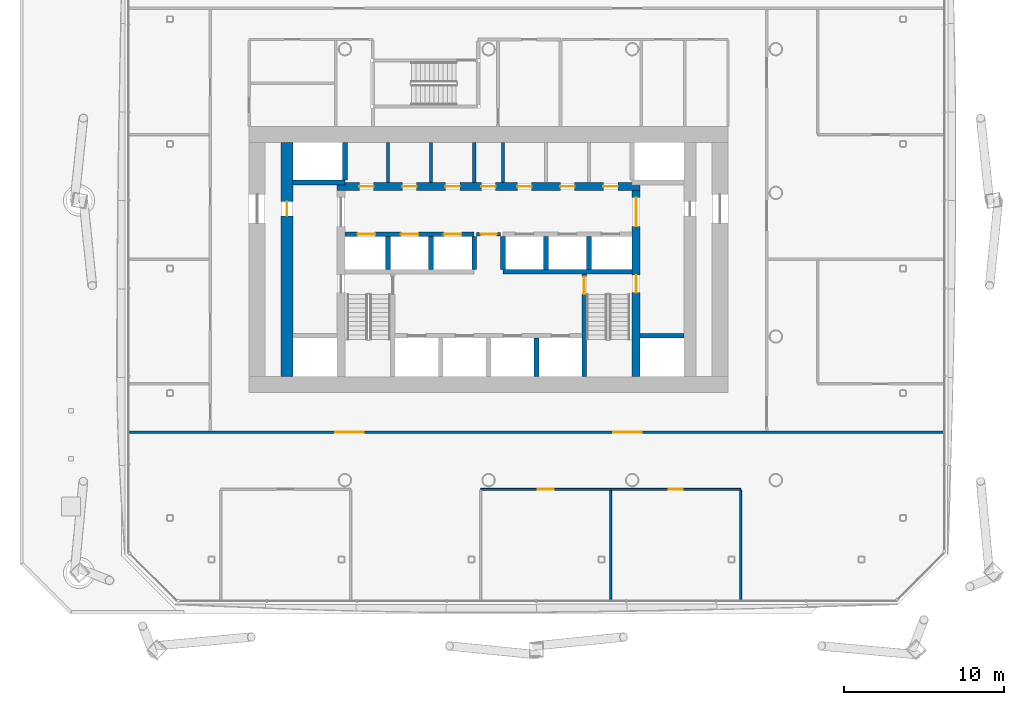
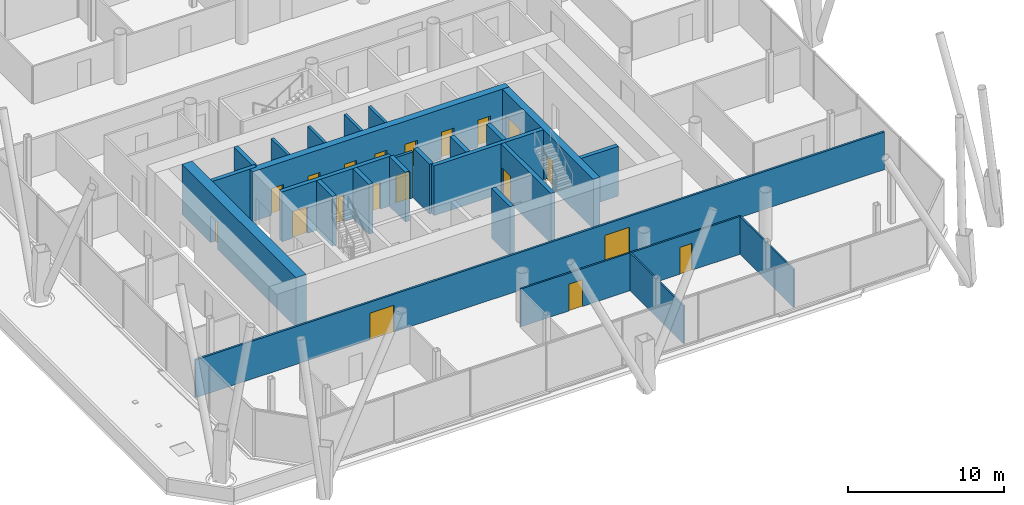
# One storey, part 14 of 23: 25 walls, 19 doors, 19 openings.
"""IFC4 building model written with IfcOpenShell, lengths in metres."""

from ifc_helpers import new_model, si_unit, direction, frame, frame_2d, origin, place, context, subcontext, project, spatial, rectangle, extrude, material, layer, layer_set, type_object, element, fill, save


model = new_model("IFC4")

# Units and contexts
model_context = context("Model", 3, precision=1e-05, world=origin(), true_north=direction((0.0, 1.0)))
body_context = subcontext(model_context, "Body", "Model", "MODEL_VIEW")
ifc_project = project(units=[si_unit("LENGTHUNIT", "METRE"), si_unit("AREAUNIT", "SQUARE_METRE"), si_unit("VOLUMEUNIT", "CUBIC_METRE"), si_unit("PLANEANGLEUNIT", "RADIAN"), si_unit("MASSUNIT", "GRAM", prefix="KILO")], contexts=[model_context])

# Site, building, storey
site_placement = place(None, origin())
site = spatial("IfcSite", under=ifc_project, at=site_placement, CompositionType="ELEMENT")
building_placement = place(site_placement, origin())
building = spatial("IfcBuilding", under=site, at=building_placement, Name="Tskaro Facet Tower", CompositionType="ELEMENT")
storey_placement = place(building_placement, frame((0.0, 0.0, 62.10009765625)))
storey = spatial("IfcBuildingStorey", under=building, at=storey_placement, Name="L14", CompositionType="ELEMENT", Elevation=62.10009765625)

# Walls
ifc_material_1 = material(Name="Concrete C60/75", Category="concrete")
ifc_layer_1 = layer(ifc_material_1, 0.300048828125, Name="Concrete C60/75")
ifc_layer_set_1 = layer_set([ifc_layer_1], Name="Concrete C60/75")
wall_type_1 = type_object("IfcWallType", Name="CORE-SHAFT", PredefinedType="SHEAR", material=ifc_layer_set_1)
wall_1_placement = place(storey_placement, frame((9.5, -8.949951171875, 0.0), z_axis=(0.0, 0.0, 1.0), x_axis=(1.0, 0.0, 0.0)))
element("IfcWall", 1, at=wall_1_placement, inside=storey, type_object=wall_type_1, Name="Shaft wall W008", PredefinedType="SHEAR", context=body_context, shape_type="SweptSolid", body=[
    extrude(rectangle(XDim=2.75, YDim=0.300048828125, at=frame_2d((1.375, 0.0))), origin(), (0.0, 0.0, 1.0), 3.89990234375),
])
wall_2_placement = place(storey_placement, frame((0.89990234375, -4.949951171875, 0.0), z_axis=(0.0, 0.0, 1.0), x_axis=(1.0, 0.0, 0.0)))
element("IfcWall", 2, at=wall_2_placement, inside=storey, type_object=wall_type_1, Name="Shaft wall W010", PredefinedType="SHEAR", context=body_context, shape_type="SweptSolid", body=[
    extrude(rectangle(XDim=8.10009765625, YDim=0.300048828125, at=frame_2d((4.050048828125, 0.0))), origin(), (0.0, 0.0, 1.0), 3.89990234375),
])

# Wall, openings, doors
wall_3_placement = place(storey_placement, frame((-9.0, -2.60009765625, 0.0), z_axis=(0.0, 0.0, 1.0), x_axis=(1.0, 0.0, 0.0)))
wall_3 = element("IfcWall", 3, at=wall_3_placement, inside=storey, type_object=wall_type_1, Name="Shaft wall W013", PredefinedType="SHEAR", context=body_context, shape_type="SweptSolid", body=[
    extrude(rectangle(XDim=8.10009765625, YDim=0.300048828125, at=frame_2d((4.050048828125, 0.0))), origin(), (0.0, 0.0, 1.0), 3.89990234375),
])
opening_1_placement = place(wall_3_placement, frame((0.800048828125, 0.0, 0.0)))
opening_1 = element("IfcOpeningElement", 4, at=opening_1_placement, cuts=wall_3, Name="Opening LD-LR1", PredefinedType="OPENING", context=body_context, shape_type="SweptSolid", body=[
    extrude(rectangle(XDim=1.10009765625, YDim=2.10009765625, at=frame_2d((0.550048828125, 1.050048828125))), frame((0.0, 0.159912109375, 0.0), z_axis=(0.0, -1.0, 0.0), x_axis=(1.0, 0.0, 0.0)), (0.0, 0.0, 1.0), 0.320068359375),
])
opening_2_placement = place(wall_3_placement, frame((3.5, 0.0, 0.0)))
opening_2 = element("IfcOpeningElement", 5, at=opening_2_placement, cuts=wall_3, Name="Opening LD-LR2", PredefinedType="OPENING", context=body_context, shape_type="SweptSolid", body=[
    extrude(rectangle(XDim=1.10009765625, YDim=2.10009765625, at=frame_2d((0.550048828125, 1.050048828125))), frame((0.0, 0.159912109375, 0.0), z_axis=(0.0, -1.0, 0.0), x_axis=(1.0, 0.0, 0.0)), (0.0, 0.0, 1.0), 0.320068359375),
])
opening_3_placement = place(wall_3_placement, frame((6.199951171875, 0.0, 0.0)))
opening_3 = element("IfcOpeningElement", 6, at=opening_3_placement, cuts=wall_3, Name="Opening LD-LR3", PredefinedType="OPENING", context=body_context, shape_type="SweptSolid", body=[
    extrude(rectangle(XDim=1.10009765625, YDim=2.10009765625, at=frame_2d((0.550048828125, 1.050048828125))), frame((0.0, 0.159912109375, 0.0), z_axis=(0.0, -1.0, 0.0), x_axis=(1.0, 0.0, 0.0)), (0.0, 0.0, 1.0), 0.320068359375),
])
ifc_material_2 = material(Name="Stainless steel", Category="steel")
door_type_1 = type_object("IfcDoorType", Name="D-LANDING", OperationType="NOTDEFINED", PredefinedType="DOOR", material=ifc_material_2)
door_1_placement = place(opening_1_placement, origin())
door_1 = element("IfcDoor", 7, at=door_1_placement, inside=storey, type_object=door_type_1, Name="Landing door LR1", OperationType="DOUBLE_DOOR_SLIDING", OverallHeight=2.10009765625, OverallWidth=1.10009765625, PredefinedType="DOOR", context=body_context, shape_type="SweptSolid", body=[
    extrude(rectangle(XDim=1.10009765625, YDim=2.10009765625, at=frame_2d((0.550048828125, 1.050048828125))), frame((0.0, 0.02490234375, 0.0), z_axis=(0.0, -1.0, 0.0), x_axis=(1.0, 0.0, 0.0)), (0.0, 0.0, 1.0), 0.050048828125),
])
fill(opening_1, door_1)
door_2_placement = place(opening_2_placement, origin())
door_2 = element("IfcDoor", 8, at=door_2_placement, inside=storey, type_object=door_type_1, Name="Landing door LR2", OperationType="DOUBLE_DOOR_SLIDING", OverallHeight=2.10009765625, OverallWidth=1.10009765625, PredefinedType="DOOR", context=body_context, shape_type="SweptSolid", body=[
    extrude(rectangle(XDim=1.10009765625, YDim=2.10009765625, at=frame_2d((0.550048828125, 1.050048828125))), frame((0.0, 0.02490234375, 0.0), z_axis=(0.0, -1.0, 0.0), x_axis=(1.0, 0.0, 0.0)), (0.0, 0.0, 1.0), 0.050048828125),
])
fill(opening_2, door_2)
door_3_placement = place(opening_3_placement, origin())
door_3 = element("IfcDoor", 9, at=door_3_placement, inside=storey, type_object=door_type_1, Name="Landing door LR3", OperationType="DOUBLE_DOOR_SLIDING", OverallHeight=2.10009765625, OverallWidth=1.10009765625, PredefinedType="DOOR", context=body_context, shape_type="SweptSolid", body=[
    extrude(rectangle(XDim=1.10009765625, YDim=2.10009765625, at=frame_2d((0.550048828125, 1.050048828125))), frame((0.0, 0.02490234375, 0.0), z_axis=(0.0, -1.0, 0.0), x_axis=(1.0, 0.0, 0.0)), (0.0, 0.0, 1.0), 0.050048828125),
])
fill(opening_3, door_3)

# Walls
wall_4_placement = place(storey_placement, frame((-9.0, 0.64990234375, 0.0), z_axis=(0.0, 0.0, 1.0), x_axis=(-1.0, 0.0, 0.0)))
element("IfcWall", 10, at=wall_4_placement, inside=storey, type_object=wall_type_1, Name="Shaft wall W016", PredefinedType="SHEAR", context=body_context, shape_type="SweptSolid", body=[
    extrude(rectangle(XDim=3.25, YDim=0.300048828125, at=frame_2d((1.625, 0.0))), origin(), (0.0, 0.0, 1.0), 3.89990234375),
])
wall_5_placement = place(storey_placement, frame((-9.0, 0.800048828125, 0.0), z_axis=(0.0, 0.0, 1.0), x_axis=(0.0, 1.0, 0.0)))
element("IfcWall", 11, at=wall_5_placement, inside=storey, type_object=wall_type_1, Name="Shaft wall W033", PredefinedType="SHEAR", context=body_context, shape_type="SweptSolid", body=[
    extrude(rectangle(XDim=2.349853515625, YDim=0.300048828125, at=frame_2d((1.1748046875, 0.0))), origin(), (0.0, 0.0, 1.0), 3.89990234375),
])
for number, where, z_axis, x_axis, name in (
    (12, (-6.300048828125, -4.800048828125, 0.0), (0.0, 0.0, 1.0), (0.0, 1.0, 0.0), "Shaft wall W039"),
    (13, (-3.60009765625, -4.800048828125, 0.0), (0.0, 0.0, 1.0), (0.0, 1.0, 0.0), "Shaft wall W042"),
    (14, (-0.89990234375, -4.800048828125, 0.0), (0.0, 0.0, 1.0), (0.0, 1.0, 0.0), "Shaft wall W045"),
    (15, (0.89990234375, -4.800048828125, 0.0), (0.0, 0.0, 1.0), (0.0, 1.0, 0.0), "Shaft wall W053"),
):
    element("IfcWall", number, at=place(storey_placement, frame(where, z_axis=z_axis, x_axis=x_axis)), inside=storey, type_object=wall_type_1, Name=name, PredefinedType="SHEAR", context=body_context, shape_type="SweptSolid", body=[
        extrude(rectangle(XDim=2.050048828125, YDim=0.300048828125, at=frame_2d((1.02490234375, 0.0))), origin(), (0.0, 0.0, 1.0), 3.89990234375),
    ])
wall_6_placement = place(storey_placement, frame((3.0, -11.5, 0.0), z_axis=(0.0, 0.0, 1.0), x_axis=(0.0, 1.0, 0.0)))
element("IfcWall", 16, at=wall_6_placement, inside=storey, type_object=wall_type_1, Name="Shaft wall W055", PredefinedType="SHEAR", context=body_context, shape_type="SweptSolid", body=[
    extrude(rectangle(XDim=2.39990234375, YDim=0.300048828125, at=frame_2d((1.199951171875, 0.0))), origin(), (0.0, 0.0, 1.0), 3.89990234375),
])
wall_7_placement = place(storey_placement, frame((3.60009765625, -4.800048828125, 0.0), z_axis=(0.0, 0.0, 1.0), x_axis=(0.0, 1.0, 0.0)))
element("IfcWall", 17, at=wall_7_placement, inside=storey, type_object=wall_type_1, Name="Shaft wall W056", PredefinedType="SHEAR", context=body_context, shape_type="SweptSolid", body=[
    extrude(rectangle(XDim=2.050048828125, YDim=0.300048828125, at=frame_2d((1.02490234375, 0.0))), origin(), (0.0, 0.0, 1.0), 3.89990234375),
])

# Wall, opening, door
wall_8_placement = place(storey_placement, frame((6.0, -5.10009765625, 0.0), z_axis=(0.0, 0.0, 1.0), x_axis=(0.0, -1.0, 0.0)))
wall_8 = element("IfcWall", 18, at=wall_8_placement, inside=storey, type_object=wall_type_1, Name="Shaft wall W059", PredefinedType="SHEAR", context=body_context, shape_type="SweptSolid", body=[
    extrude(rectangle(XDim=6.39990234375, YDim=0.300048828125, at=frame_2d((3.199951171875, 0.0))), origin(), (0.0, 0.0, 1.0), 3.89990234375),
])
opening_4_placement = place(wall_8_placement, frame((0.14990234375, 0.0, 0.0)))
opening_4 = element("IfcOpeningElement", 19, at=opening_4_placement, cuts=wall_8, Name="Opening ST-2-D1", PredefinedType="OPENING", context=body_context, shape_type="SweptSolid", body=[
    extrude(rectangle(XDim=1.10009765625, YDim=2.10009765625, at=frame_2d((0.550048828125, 1.050048828125))), frame((0.0, 0.159912109375, 0.0), z_axis=(0.0, -1.0, 0.0), x_axis=(1.0, 0.0, 0.0)), (0.0, 0.0, 1.0), 0.320068359375),
])
ifc_material_3 = material(Name="Steel", Category="steel")
door_type_2 = type_object("IfcDoorType", Name="D-STAIR", OperationType="NOTDEFINED", PredefinedType="DOOR", material=ifc_material_3)
door_4_placement = place(opening_4_placement, origin())
door_4 = element("IfcDoor", 20, at=door_4_placement, inside=storey, type_object=door_type_2, Name="Stair door 2", OperationType="SINGLE_SWING_RIGHT", OverallHeight=2.10009765625, OverallWidth=1.10009765625, PredefinedType="DOOR", context=body_context, shape_type="SweptSolid", body=[
    extrude(rectangle(XDim=1.10009765625, YDim=2.10009765625, at=frame_2d((0.550048828125, 1.050048828125))), frame((0.0, 0.02490234375, 0.0), z_axis=(0.0, -1.0, 0.0), x_axis=(1.0, 0.0, 0.0)), (0.0, 0.0, 1.0), 0.050048828125),
])
fill(opening_4, door_4)

# Wall
wall_9_placement = place(storey_placement, frame((6.300048828125, -4.800048828125, 0.0), z_axis=(0.0, 0.0, 1.0), x_axis=(0.0, 1.0, 0.0)))
element("IfcWall", 21, at=wall_9_placement, inside=storey, type_object=wall_type_1, Name="Shaft wall W060", PredefinedType="SHEAR", context=body_context, shape_type="SweptSolid", body=[
    extrude(rectangle(XDim=2.050048828125, YDim=0.300048828125, at=frame_2d((1.02490234375, 0.0))), origin(), (0.0, 0.0, 1.0), 3.89990234375),
])

# Wall, opening, door
ifc_material_4 = material(Name="Concrete C20/25", Category="concrete")
ifc_layer_2 = layer(ifc_material_4, 0.199951171875, Name="Concrete C20/25")
ifc_layer_set_2 = layer_set([ifc_layer_2], Name="Concrete C20/25")
wall_type_2 = type_object("IfcWallType", Name="CORE-WALL", PredefinedType="SOLIDWALL", material=ifc_layer_set_2)
wall_10_placement = place(storey_placement, frame((0.75, -2.60009765625, 0.0), z_axis=(0.0, 0.0, 1.0), x_axis=(-1.0, 0.0, 0.0)))
wall_10 = element("IfcWall", 22, at=wall_10_placement, inside=storey, type_object=wall_type_2, Name="Core room wall W014", PredefinedType="SOLIDWALL", context=body_context, shape_type="SweptSolid", body=[
    extrude(rectangle(XDim=1.5, YDim=0.199951171875, at=frame_2d((0.75, 0.0))), origin(), (0.0, 0.0, 1.0), 3.599853515625),
])
opening_5_placement = place(wall_10_placement, frame((0.25, 0.0, 0.0)))
opening_5 = element("IfcOpeningElement", 23, at=opening_5_placement, cuts=wall_10, Name="Opening FL-D1", PredefinedType="OPENING", context=body_context, shape_type="SweptSolid", body=[
    extrude(rectangle(XDim=1.0, YDim=2.10009765625, at=frame_2d((0.5, 1.050048828125))), frame((0.0, 0.10986328125, 0.0), z_axis=(0.0, -1.0, 0.0), x_axis=(1.0, 0.0, 0.0)), (0.0, 0.0, 1.0), 0.219970703125),
])
door_type_3 = type_object("IfcDoorType", Name="D-LOBBY", OperationType="NOTDEFINED", PredefinedType="DOOR", material=ifc_material_3)
door_5_placement = place(opening_5_placement, origin())
door_5 = element("IfcDoor", 24, at=door_5_placement, inside=storey, type_object=door_type_3, Name="Lobby door FL", OperationType="SINGLE_SWING_RIGHT", OverallHeight=2.10009765625, OverallWidth=1.0, PredefinedType="DOOR", context=body_context, shape_type="SweptSolid", body=[
    extrude(rectangle(XDim=1.0, YDim=2.10009765625, at=frame_2d((0.5, 1.050048828125))), frame((0.0, 0.02490234375, 0.0), z_axis=(0.0, -1.0, 0.0), x_axis=(1.0, 0.0, 0.0)), (0.0, 0.0, 1.0), 0.050048828125),
])
fill(opening_5, door_5)

# Walls
for number, where, z_axis, x_axis, name in (
    (25, (-6.300048828125, 0.64990234375, 0.0), (0.0, 0.0, 1.0), (0.0, 1.0, 0.0), "Core room wall W040"),
    (26, (-3.60009765625, 0.64990234375, 0.0), (0.0, 0.0, 1.0), (0.0, 1.0, 0.0), "Core room wall W043"),
    (27, (-0.89990234375, 0.64990234375, 0.0), (0.0, 0.0, 1.0), (0.0, 1.0, 0.0), "Core room wall W046"),
    (28, (0.89990234375, 0.64990234375, 0.0), (0.0, 0.0, 1.0), (0.0, 1.0, 0.0), "Core room wall W054"),
):
    element("IfcWall", number, at=place(storey_placement, frame(where, z_axis=z_axis, x_axis=x_axis)), inside=storey, type_object=wall_type_2, Name=name, PredefinedType="SOLIDWALL", context=body_context, shape_type="SweptSolid", body=[
        extrude(rectangle(XDim=2.5, YDim=0.199951171875, at=frame_2d((1.25, 0.0))), origin(), (0.0, 0.0, 1.0), 3.599853515625),
    ])

# Wall, openings, doors
ifc_material_5 = material(Name="Concrete C40/50", Category="concrete")
ifc_layer_3 = layer(ifc_material_5, 0.5, Name="Concrete C40/50")
ifc_layer_set_3 = layer_set([ifc_layer_3], Name="Concrete C40/50")
wall_type_3 = type_object("IfcWallType", Name="Core wall 500", PredefinedType="SHEAR", material=ifc_layer_set_3)
wall_11_placement = place(storey_placement, frame((-9.5, 0.39990234375, 0.0), z_axis=(0.0, 0.0, 1.0), x_axis=(1.0, 0.0, 0.0)))
wall_11 = element("IfcWall", 29, at=wall_11_placement, inside=storey, type_object=wall_type_3, Name="Core wall CW-Z3N", PredefinedType="SHEAR", context=body_context, shape_type="SweptSolid", body=[
    extrude(rectangle(XDim=19.0, YDim=0.5, at=frame_2d((9.5, 0.0))), origin(), (0.0, 0.0, 1.0), 3.89990234375),
])
opening_6_placement = place(wall_11_placement, frame((1.39990234375, 0.0, 0.0)))
opening_6 = element("IfcOpeningElement", 30, at=opening_6_placement, cuts=wall_11, Name="Opening T4-D20", PredefinedType="OPENING", context=body_context, shape_type="SweptSolid", body=[
    extrude(rectangle(XDim=0.89990234375, YDim=2.10009765625, at=frame_2d((0.449951171875, 1.050048828125))), frame((0.0, 0.260009765625, 0.0), z_axis=(0.0, -1.0, 0.0), x_axis=(1.0, 0.0, 0.0)), (0.0, 0.0, 1.0), 0.52001953125),
])
opening_7_placement = place(wall_11_placement, frame((4.10009765625, 0.0, 0.0)))
opening_7 = element("IfcOpeningElement", 31, at=opening_7_placement, cuts=wall_11, Name="Opening T4-D21", PredefinedType="OPENING", context=body_context, shape_type="SweptSolid", body=[
    extrude(rectangle(XDim=0.89990234375, YDim=2.10009765625, at=frame_2d((0.449951171875, 1.050048828125))), frame((0.0, 0.260009765625, 0.0), z_axis=(0.0, -1.0, 0.0), x_axis=(1.0, 0.0, 0.0)), (0.0, 0.0, 1.0), 0.52001953125),
])
opening_8_placement = place(wall_11_placement, frame((6.800048828125, 0.0, 0.0)))
opening_8 = element("IfcOpeningElement", 32, at=opening_8_placement, cuts=wall_11, Name="Opening T4-D22", PredefinedType="OPENING", context=body_context, shape_type="SweptSolid", body=[
    extrude(rectangle(XDim=0.89990234375, YDim=2.10009765625, at=frame_2d((0.449951171875, 1.050048828125))), frame((0.0, 0.260009765625, 0.0), z_axis=(0.0, -1.0, 0.0), x_axis=(1.0, 0.0, 0.0)), (0.0, 0.0, 1.0), 0.52001953125),
])
opening_9_placement = place(wall_11_placement, frame((11.300048828125, 0.0, 0.0)))
opening_9 = element("IfcOpeningElement", 33, at=opening_9_placement, cuts=wall_11, Name="Opening T4-D24", PredefinedType="OPENING", context=body_context, shape_type="SweptSolid", body=[
    extrude(rectangle(XDim=0.89990234375, YDim=2.10009765625, at=frame_2d((0.449951171875, 1.050048828125))), frame((0.0, 0.260009765625, 0.0), z_axis=(0.0, -1.0, 0.0), x_axis=(1.0, 0.0, 0.0)), (0.0, 0.0, 1.0), 0.52001953125),
])
opening_10_placement = place(wall_11_placement, frame((14.0, 0.0, 0.0)))
opening_10 = element("IfcOpeningElement", 34, at=opening_10_placement, cuts=wall_11, Name="Opening T4-D25", PredefinedType="OPENING", context=body_context, shape_type="SweptSolid", body=[
    extrude(rectangle(XDim=0.89990234375, YDim=2.10009765625, at=frame_2d((0.449951171875, 1.050048828125))), frame((0.0, 0.260009765625, 0.0), z_axis=(0.0, -1.0, 0.0), x_axis=(1.0, 0.0, 0.0)), (0.0, 0.0, 1.0), 0.52001953125),
])
opening_11_placement = place(wall_11_placement, frame((16.699951171875, 0.0, 0.0)))
opening_11 = element("IfcOpeningElement", 35, at=opening_11_placement, cuts=wall_11, Name="Opening T4-D26", PredefinedType="OPENING", context=body_context, shape_type="SweptSolid", body=[
    extrude(rectangle(XDim=0.89990234375, YDim=2.10009765625, at=frame_2d((0.449951171875, 1.050048828125))), frame((0.0, 0.260009765625, 0.0), z_axis=(0.0, -1.0, 0.0), x_axis=(1.0, 0.0, 0.0)), (0.0, 0.0, 1.0), 0.52001953125),
])
opening_12_placement = place(wall_11_placement, frame((9.050048828125, 0.0, 0.0)))
opening_12 = element("IfcOpeningElement", 36, at=opening_12_placement, cuts=wall_11, Name="Opening T4-D23", PredefinedType="OPENING", context=body_context, shape_type="SweptSolid", body=[
    extrude(rectangle(XDim=0.89990234375, YDim=2.10009765625, at=frame_2d((0.449951171875, 1.050048828125))), frame((0.0, 0.260009765625, 0.0), z_axis=(0.0, -1.0, 0.0), x_axis=(1.0, 0.0, 0.0)), (0.0, 0.0, 1.0), 0.52001953125),
])
door_type_4 = type_object("IfcDoorType", Name="D-RISER", OperationType="NOTDEFINED", PredefinedType="DOOR", material=ifc_material_3)
door_6_placement = place(opening_12_placement, origin())
door_6 = element("IfcDoor", 37, at=door_6_placement, inside=storey, type_object=door_type_4, Name="Door T4-D23", OperationType="SINGLE_SWING_LEFT", OverallHeight=2.10009765625, OverallWidth=0.89990234375, PredefinedType="DOOR", context=body_context, shape_type="SweptSolid", body=[
    extrude(rectangle(XDim=0.89990234375, YDim=2.10009765625, at=frame_2d((0.449951171875, 1.050048828125))), frame((0.0, 0.02490234375, 0.0), z_axis=(0.0, -1.0, 0.0), x_axis=(1.0, 0.0, 0.0)), (0.0, 0.0, 1.0), 0.050048828125),
])
fill(opening_12, door_6)
ifc_material_6 = material(Name="Timber", Category="wood")
door_type_5 = type_object("IfcDoorType", Name="D-ROOM", OperationType="NOTDEFINED", PredefinedType="DOOR", material=ifc_material_6)
door_7_placement = place(opening_6_placement, origin())
door_7 = element("IfcDoor", 38, at=door_7_placement, inside=storey, type_object=door_type_5, Name="Door T4-D20", OperationType="SINGLE_SWING_LEFT", OverallHeight=2.10009765625, OverallWidth=0.89990234375, PredefinedType="DOOR", context=body_context, shape_type="SweptSolid", body=[
    extrude(rectangle(XDim=0.89990234375, YDim=2.10009765625, at=frame_2d((0.449951171875, 1.050048828125))), frame((0.0, 0.02490234375, 0.0), z_axis=(0.0, -1.0, 0.0), x_axis=(1.0, 0.0, 0.0)), (0.0, 0.0, 1.0), 0.050048828125),
])
fill(opening_6, door_7)
door_8_placement = place(opening_7_placement, origin())
door_8 = element("IfcDoor", 39, at=door_8_placement, inside=storey, type_object=door_type_5, Name="Door T4-D21", OperationType="SINGLE_SWING_LEFT", OverallHeight=2.10009765625, OverallWidth=0.89990234375, PredefinedType="DOOR", context=body_context, shape_type="SweptSolid", body=[
    extrude(rectangle(XDim=0.89990234375, YDim=2.10009765625, at=frame_2d((0.449951171875, 1.050048828125))), frame((0.0, 0.02490234375, 0.0), z_axis=(0.0, -1.0, 0.0), x_axis=(1.0, 0.0, 0.0)), (0.0, 0.0, 1.0), 0.050048828125),
])
fill(opening_7, door_8)
door_9_placement = place(opening_8_placement, origin())
door_9 = element("IfcDoor", 40, at=door_9_placement, inside=storey, type_object=door_type_5, Name="Door T4-D22", OperationType="SINGLE_SWING_LEFT", OverallHeight=2.10009765625, OverallWidth=0.89990234375, PredefinedType="DOOR", context=body_context, shape_type="SweptSolid", body=[
    extrude(rectangle(XDim=0.89990234375, YDim=2.10009765625, at=frame_2d((0.449951171875, 1.050048828125))), frame((0.0, 0.02490234375, 0.0), z_axis=(0.0, -1.0, 0.0), x_axis=(1.0, 0.0, 0.0)), (0.0, 0.0, 1.0), 0.050048828125),
])
fill(opening_8, door_9)
door_10_placement = place(opening_9_placement, origin())
door_10 = element("IfcDoor", 41, at=door_10_placement, inside=storey, type_object=door_type_5, Name="Door T4-D24", OperationType="SINGLE_SWING_LEFT", OverallHeight=2.10009765625, OverallWidth=0.89990234375, PredefinedType="DOOR", context=body_context, shape_type="SweptSolid", body=[
    extrude(rectangle(XDim=0.89990234375, YDim=2.10009765625, at=frame_2d((0.449951171875, 1.050048828125))), frame((0.0, 0.02490234375, 0.0), z_axis=(0.0, -1.0, 0.0), x_axis=(1.0, 0.0, 0.0)), (0.0, 0.0, 1.0), 0.050048828125),
])
fill(opening_9, door_10)
door_11_placement = place(opening_10_placement, origin())
door_11 = element("IfcDoor", 42, at=door_11_placement, inside=storey, type_object=door_type_5, Name="Door T4-D25", OperationType="SINGLE_SWING_LEFT", OverallHeight=2.10009765625, OverallWidth=0.89990234375, PredefinedType="DOOR", context=body_context, shape_type="SweptSolid", body=[
    extrude(rectangle(XDim=0.89990234375, YDim=2.10009765625, at=frame_2d((0.449951171875, 1.050048828125))), frame((0.0, 0.02490234375, 0.0), z_axis=(0.0, -1.0, 0.0), x_axis=(1.0, 0.0, 0.0)), (0.0, 0.0, 1.0), 0.050048828125),
])
fill(opening_10, door_11)
door_12_placement = place(opening_11_placement, origin())
door_12 = element("IfcDoor", 43, at=door_12_placement, inside=storey, type_object=door_type_5, Name="Door T4-D26", OperationType="SINGLE_SWING_LEFT", OverallHeight=2.10009765625, OverallWidth=0.89990234375, PredefinedType="DOOR", context=body_context, shape_type="SweptSolid", body=[
    extrude(rectangle(XDim=0.89990234375, YDim=2.10009765625, at=frame_2d((0.449951171875, 1.050048828125))), frame((0.0, 0.02490234375, 0.0), z_axis=(0.0, -1.0, 0.0), x_axis=(1.0, 0.0, 0.0)), (0.0, 0.0, 1.0), 0.050048828125),
])
fill(opening_11, door_12)

wall_12_placement = place(storey_placement, frame((9.25, -11.5, 0.0), z_axis=(0.0, 0.0, 1.0), x_axis=(0.0, 1.0, 0.0)))
wall_12 = element("IfcWall", 44, at=wall_12_placement, inside=storey, type_object=wall_type_3, Name="Core wall CW-Z3E", PredefinedType="SHEAR", context=body_context, shape_type="SweptSolid", body=[
    extrude(rectangle(XDim=11.64990234375, YDim=0.5, at=frame_2d((5.824951171875, 0.0))), origin(), (0.0, 0.0, 1.0), 3.89990234375),
])
opening_13_placement = place(wall_12_placement, frame((9.39990234375, 0.0, 0.0)))
opening_13 = element("IfcOpeningElement", 45, at=opening_13_placement, cuts=wall_12, Name="Opening T4-D14", PredefinedType="OPENING", context=body_context, shape_type="SweptSolid", body=[
    extrude(rectangle(XDim=1.800048828125, YDim=2.10009765625, at=frame_2d((0.89990234375, 1.050048828125))), frame((0.0, 0.260009765625, 0.0), z_axis=(0.0, -1.0, 0.0), x_axis=(1.0, 0.0, 0.0)), (0.0, 0.0, 1.0), 0.52001953125),
])
opening_14_placement = place(wall_12_placement, frame((5.25, 0.0, 0.0)))
opening_14 = element("IfcOpeningElement", 46, at=opening_14_placement, cuts=wall_12, Name="Opening ST-2-D2", PredefinedType="OPENING", context=body_context, shape_type="SweptSolid", body=[
    extrude(rectangle(XDim=1.10009765625, YDim=2.10009765625, at=frame_2d((0.550048828125, 1.050048828125))), frame((0.0, 0.260009765625, 0.0), z_axis=(0.0, -1.0, 0.0), x_axis=(1.0, 0.0, 0.0)), (0.0, 0.0, 1.0), 0.52001953125),
])
door_type_6 = type_object("IfcDoorType", Name="D-CORE-PAIR", OperationType="NOTDEFINED", PredefinedType="DOOR", material=ifc_material_3)
door_13_placement = place(opening_13_placement, origin())
door_13 = element("IfcDoor", 47, at=door_13_placement, inside=storey, type_object=door_type_6, Name="Door T4-D14", OperationType="DOUBLE_DOOR_SINGLE_SWING", OverallHeight=2.10009765625, OverallWidth=1.800048828125, PredefinedType="DOOR", context=body_context, shape_type="SweptSolid", body=[
    extrude(rectangle(XDim=1.800048828125, YDim=2.10009765625, at=frame_2d((0.89990234375, 1.050048828125))), frame((0.0, 0.02490234375, 0.0), z_axis=(0.0, -1.0, 0.0), x_axis=(1.0, 0.0, 0.0)), (0.0, 0.0, 1.0), 0.050048828125),
])
fill(opening_13, door_13)
door_14_placement = place(opening_14_placement, origin())
door_14 = element("IfcDoor", 48, at=door_14_placement, inside=storey, type_object=door_type_2, Name="Stair door 2 east", OperationType="SINGLE_SWING_LEFT", OverallHeight=2.10009765625, OverallWidth=1.10009765625, PredefinedType="DOOR", context=body_context, shape_type="SweptSolid", body=[
    extrude(rectangle(XDim=1.10009765625, YDim=2.10009765625, at=frame_2d((0.550048828125, 1.050048828125))), frame((0.0, 0.02490234375, 0.0), z_axis=(0.0, -1.0, 0.0), x_axis=(1.0, 0.0, 0.0)), (0.0, 0.0, 1.0), 0.050048828125),
])
fill(opening_14, door_14)

# Wall, opening, door
ifc_material_7 = material(Name="Concrete C50/60", Category="concrete")
ifc_layer_4 = layer(ifc_material_7, 0.75, Name="Concrete C50/60")
ifc_layer_set_4 = layer_set([ifc_layer_4], Name="Concrete C50/60")
wall_type_4 = type_object("IfcWallType", Name="Core wall 750", PredefinedType="SHEAR", material=ifc_layer_set_4)
wall_13_placement = place(storey_placement, frame((-12.625, -11.5, 0.0), z_axis=(0.0, 0.0, 1.0), x_axis=(0.0, 1.0, 0.0)))
wall_13 = element("IfcWall", 49, at=wall_13_placement, inside=storey, type_object=wall_type_4, Name="Core wall CW-Z2W", PredefinedType="SHEAR", context=body_context, shape_type="SweptSolid", body=[
    extrude(rectangle(XDim=14.64990234375, YDim=0.75, at=frame_2d((7.324951171875, 0.0))), origin(), (0.0, 0.0, 1.0), 3.89990234375),
])
opening_15_placement = place(wall_13_placement, frame((10.050048828125, 0.0, 0.0)))
opening_15 = element("IfcOpeningElement", 50, at=opening_15_placement, cuts=wall_13, Name="Opening T4-D16", PredefinedType="OPENING", context=body_context, shape_type="SweptSolid", body=[
    extrude(rectangle(XDim=0.89990234375, YDim=2.10009765625, at=frame_2d((0.449951171875, 1.050048828125))), frame((0.0, 0.385009765625, 0.0), z_axis=(0.0, -1.0, 0.0), x_axis=(1.0, 0.0, 0.0)), (0.0, 0.0, 1.0), 0.77001953125),
])
door_15_placement = place(opening_15_placement, origin())
door_15 = element("IfcDoor", 51, at=door_15_placement, inside=storey, type_object=door_type_5, Name="Door T4-D16", OperationType="SINGLE_SWING_LEFT", OverallHeight=2.10009765625, OverallWidth=0.89990234375, PredefinedType="DOOR", context=body_context, shape_type="SweptSolid", body=[
    extrude(rectangle(XDim=0.89990234375, YDim=2.10009765625, at=frame_2d((0.449951171875, 1.050048828125))), frame((0.0, 0.02490234375, 0.0), z_axis=(0.0, -1.0, 0.0), x_axis=(1.0, 0.0, 0.0)), (0.0, 0.0, 1.0), 0.050048828125),
])
fill(opening_15, door_15)

# Wall, openings, doors
ifc_material_8 = material(Name="Gypsum board on steel studs", Category="steel")
ifc_layer_5 = layer(ifc_material_8, 0.125, Name="Gypsum board on steel studs")
ifc_layer_set_5 = layer_set([ifc_layer_5], Name="Gypsum board on steel studs")
wall_type_5 = type_object("IfcWallType", Name="PART", PredefinedType="PARTITIONING", material=ifc_layer_set_5)
wall_14_placement = place(storey_placement, frame((15.798095703125, -18.580078125, 0.0), z_axis=(0.0, 0.0, 1.0), x_axis=(-1.0, 0.0, 0.0)))
wall_14 = element("IfcWall", 52, at=wall_14_placement, inside=storey, type_object=wall_type_5, Name="Partition W002", PredefinedType="PARTITIONING", context=body_context, shape_type="SweptSolid", body=[
    extrude(rectangle(XDim=16.291015625, YDim=0.125, at=frame_2d((8.1455078125, 0.0))), origin(), (0.0, 0.0, 1.0), 2.9599609375),
])
opening_16_placement = place(wall_14_placement, frame((11.718017578125, 0.0, 0.0)))
opening_16 = element("IfcOpeningElement", 53, at=opening_16_placement, cuts=wall_14, Name="Opening T4-D02", PredefinedType="OPENING", context=body_context, shape_type="SweptSolid", body=[
    extrude(rectangle(XDim=1.0, YDim=2.10009765625, at=frame_2d((0.5, 1.050048828125))), frame((0.0, 0.072509765625, 0.0), z_axis=(0.0, -1.0, 0.0), x_axis=(1.0, 0.0, 0.0)), (0.0, 0.0, 1.0), 0.14501953125),
])
opening_17_placement = place(wall_14_placement, frame((3.62255859375, 0.0, 0.0)))
opening_17 = element("IfcOpeningElement", 54, at=opening_17_placement, cuts=wall_14, Name="Opening T4-D03", PredefinedType="OPENING", context=body_context, shape_type="SweptSolid", body=[
    extrude(rectangle(XDim=0.89990234375, YDim=2.10009765625, at=frame_2d((0.449951171875, 1.050048828125))), frame((0.0, 0.072509765625, 0.0), z_axis=(0.0, -1.0, 0.0), x_axis=(1.0, 0.0, 0.0)), (0.0, 0.0, 1.0), 0.14501953125),
])
door_16_placement = place(opening_17_placement, origin())
door_16 = element("IfcDoor", 55, at=door_16_placement, inside=storey, type_object=door_type_5, Name="Door T4-D03", OperationType="SINGLE_SWING_RIGHT", OverallHeight=2.10009765625, OverallWidth=0.89990234375, PredefinedType="DOOR", context=body_context, shape_type="SweptSolid", body=[
    extrude(rectangle(XDim=0.89990234375, YDim=2.10009765625, at=frame_2d((0.449951171875, 1.050048828125))), frame((0.0, 0.02490234375, 0.0), z_axis=(0.0, -1.0, 0.0), x_axis=(1.0, 0.0, 0.0)), (0.0, 0.0, 1.0), 0.050048828125),
])
fill(opening_17, door_16)
door_type_7 = type_object("IfcDoorType", Name="D-ROOM-WIDE", OperationType="NOTDEFINED", PredefinedType="DOOR", material=ifc_material_6)
door_17_placement = place(opening_16_placement, origin())
door_17 = element("IfcDoor", 56, at=door_17_placement, inside=storey, type_object=door_type_7, Name="Door T4-D02", OperationType="SINGLE_SWING_RIGHT", OverallHeight=2.10009765625, OverallWidth=1.0, PredefinedType="DOOR", context=body_context, shape_type="SweptSolid", body=[
    extrude(rectangle(XDim=1.0, YDim=2.10009765625, at=frame_2d((0.5, 1.050048828125))), frame((0.0, 0.02490234375, 0.0), z_axis=(0.0, -1.0, 0.0), x_axis=(1.0, 0.0, 0.0)), (0.0, 0.0, 1.0), 0.050048828125),
])
fill(opening_16, door_17)

# Walls
for number, where, z_axis, x_axis, name in (
    (57, (7.653076171875, -25.509033203125, 0.0), (0.0, 0.0, 1.0), (0.0, 1.0, 0.0), "Partition W063"),
    (58, (15.798095703125, -25.509033203125, 0.0), (0.0, 0.0, 1.0), (0.0, 1.0, 0.0), "Partition W069"),
):
    element("IfcWall", number, at=place(storey_placement, frame(where, z_axis=z_axis, x_axis=x_axis)), inside=storey, type_object=wall_type_5, Name=name, PredefinedType="PARTITIONING", context=body_context, shape_type="SweptSolid", body=[
        extrude(rectangle(XDim=6.866455078125, YDim=0.125, at=frame_2d((3.43310546875, 0.0))), origin(), (0.0, 0.0, 1.0), 2.9599609375),
    ])

# Wall, openings, doors
ifc_layer_6 = layer(ifc_material_8, 0.14990234375, Name="Gypsum board on steel studs")
ifc_layer_set_6 = layer_set([ifc_layer_6], Name="Gypsum board on steel studs")
wall_type_6 = type_object("IfcWallType", Name="PART-CORR", PredefinedType="PARTITIONING", material=ifc_layer_set_6)
wall_15_placement = place(storey_placement, frame((-22.509033203125, -15.0, 0.0), z_axis=(0.0, 0.0, 1.0), x_axis=(1.0, 0.0, 0.0)))
wall_15 = element("IfcWall", 59, at=wall_15_placement, inside=storey, type_object=wall_type_6, Name="Corridor wall W003", PredefinedType="PARTITIONING", context=body_context, shape_type="SweptSolid", body=[
    extrude(rectangle(XDim=51.01806640625, YDim=0.14990234375, at=frame_2d((25.509033203125, 0.0))), origin(), (0.0, 0.0, 1.0), 2.9599609375),
])
opening_18_placement = place(wall_15_placement, frame((12.89599609375, 0.0, 0.0)))
opening_18 = element("IfcOpeningElement", 60, at=opening_18_placement, cuts=wall_15, Name="Opening T4-D04", PredefinedType="OPENING", context=body_context, shape_type="SweptSolid", body=[
    extrude(rectangle(XDim=1.800048828125, YDim=2.10009765625, at=frame_2d((0.89990234375, 1.050048828125))), frame((0.0, 0.0849609375, 0.0), z_axis=(0.0, -1.0, 0.0), x_axis=(1.0, 0.0, 0.0)), (0.0, 0.0, 1.0), 0.169921875),
])
opening_19_placement = place(wall_15_placement, frame((30.322021484375, 0.0, 0.0)))
opening_19 = element("IfcOpeningElement", 61, at=opening_19_placement, cuts=wall_15, Name="Opening T4-D05", PredefinedType="OPENING", context=body_context, shape_type="SweptSolid", body=[
    extrude(rectangle(XDim=1.800048828125, YDim=2.10009765625, at=frame_2d((0.89990234375, 1.050048828125))), frame((0.0, 0.0849609375, 0.0), z_axis=(0.0, -1.0, 0.0), x_axis=(1.0, 0.0, 0.0)), (0.0, 0.0, 1.0), 0.169921875),
])
ifc_material_9 = material(Name="Glass", Category="glass")
door_type_8 = type_object("IfcDoorType", Name="D-ENTRY-PAIR", OperationType="NOTDEFINED", PredefinedType="DOOR", material=ifc_material_9)
door_18_placement = place(opening_18_placement, origin())
door_18 = element("IfcDoor", 62, at=door_18_placement, inside=storey, type_object=door_type_8, Name="Door T4-D04", OperationType="DOUBLE_DOOR_SINGLE_SWING", OverallHeight=2.10009765625, OverallWidth=1.800048828125, PredefinedType="DOOR", context=body_context, shape_type="SweptSolid", body=[
    extrude(rectangle(XDim=1.800048828125, YDim=2.10009765625, at=frame_2d((0.89990234375, 1.050048828125))), frame((0.0, 0.02490234375, 0.0), z_axis=(0.0, -1.0, 0.0), x_axis=(1.0, 0.0, 0.0)), (0.0, 0.0, 1.0), 0.050048828125),
])
fill(opening_18, door_18)
door_19_placement = place(opening_19_placement, origin())
door_19 = element("IfcDoor", 63, at=door_19_placement, inside=storey, type_object=door_type_8, Name="Door T4-D05", OperationType="DOUBLE_DOOR_SINGLE_SWING", OverallHeight=2.10009765625, OverallWidth=1.800048828125, PredefinedType="DOOR", context=body_context, shape_type="SweptSolid", body=[
    extrude(rectangle(XDim=1.800048828125, YDim=2.10009765625, at=frame_2d((0.89990234375, 1.050048828125))), frame((0.0, 0.02490234375, 0.0), z_axis=(0.0, -1.0, 0.0), x_axis=(1.0, 0.0, 0.0)), (0.0, 0.0, 1.0), 0.050048828125),
])
fill(opening_19, door_19)

save(model, "model.ifc")
